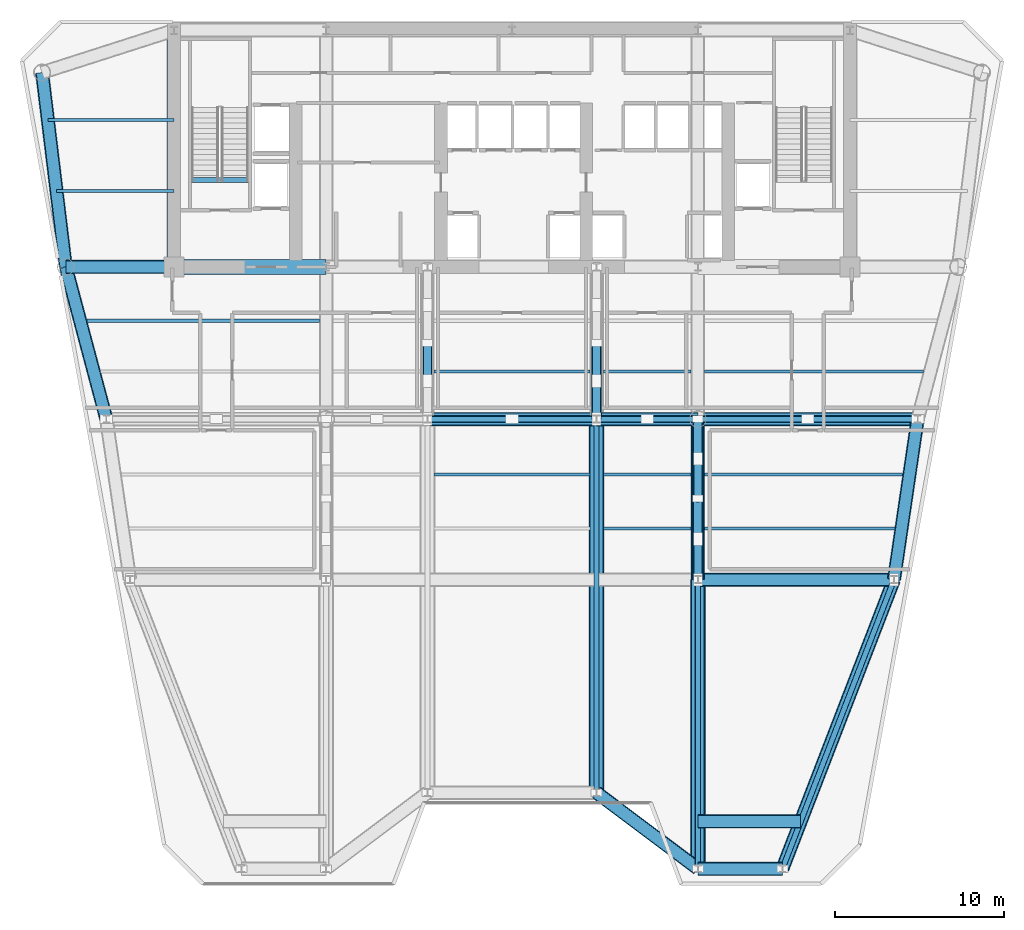
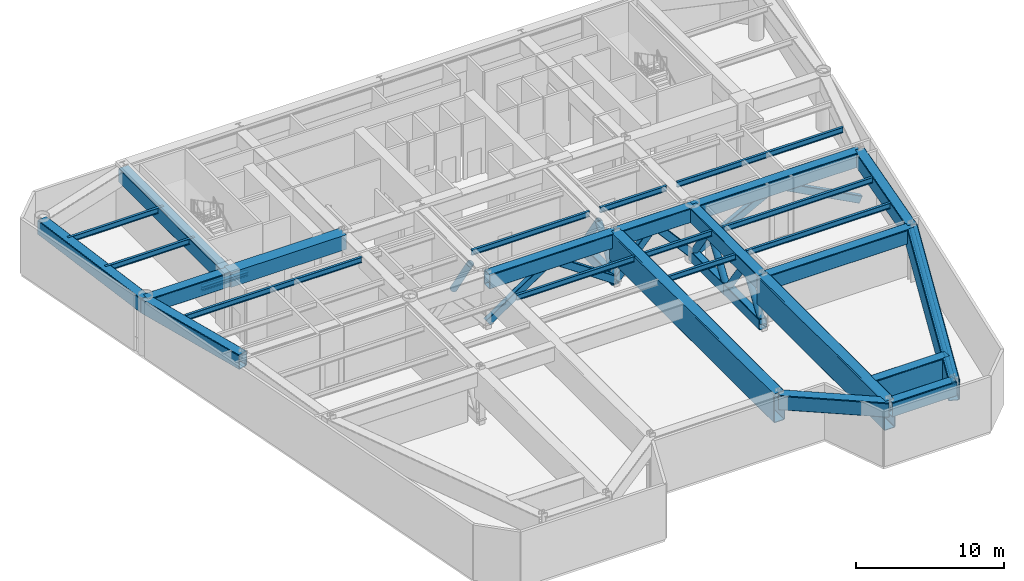
# One storey, part 2 of 10: 29 beams, 19 members.
"""IFC4 building model written with IfcOpenShell, lengths in metres."""

from ifc_helpers import new_model, si_unit, direction, frame, origin, origin_2d, place, context, subcontext, project, spatial, rectangle, hollow_rectangle, hollow_circle, i_section, extrude, source, transform, mapped, material, material_profile, profile_set, type_object, element, save


model = new_model("IFC4")

# Units and contexts
model_context = context("Model", 3, precision=1e-05, world=origin(), true_north=direction((0.0, 1.0)))
body_context = subcontext(model_context, "Body", "Model", "MODEL_VIEW")
ifc_project = project(units=[si_unit("LENGTHUNIT", "METRE"), si_unit("AREAUNIT", "SQUARE_METRE"), si_unit("VOLUMEUNIT", "CUBIC_METRE"), si_unit("PLANEANGLEUNIT", "RADIAN"), si_unit("MASSUNIT", "GRAM", prefix="KILO")], contexts=[model_context])

# Site, building, storey
site_placement = place(None, origin())
site = spatial("IfcSite", under=ifc_project, at=site_placement, CompositionType="ELEMENT")
building_placement = place(site_placement, origin())
building = spatial("IfcBuilding", under=site, at=building_placement, Name="Vaeldorn Concourse Tower", CompositionType="ELEMENT")
storey_placement = place(building_placement, frame((0.0, 0.0, 149.0)))
storey = spatial("IfcBuildingStorey", under=building, at=storey_placement, Name="L38", CompositionType="ELEMENT", Elevation=149.0)

# Beams
ifc_material_1 = material(Name="Concrete C60/75", Category="concrete")
ifc_material_profile_1 = material_profile(ifc_material_1, rectangle(XDim=0.89990234375, YDim=1.199951171875, at=origin_2d()), Name="RC 900x1200")
ifc_profile_set_1 = profile_set([ifc_material_profile_1], Name="Concrete C60/75")
beam_type_1 = type_object("IfcBeamType", Name="BM-CB-RC900", PredefinedType="BEAM", material=ifc_profile_set_1)
shared_shape_1 = source(origin(), body_context, "Body", "SweptSolid", [
    extrude(rectangle(XDim=0.89990234375, YDim=1.199951171875, at=origin_2d()), origin(), (0.0, 0.0, 1.0), 9.0),
])
beam_1_placement = place(storey_placement, frame((14.0, 36.5, 3.93994140625), z_axis=(1.0, 0.0, 0.0), x_axis=(0.0, 1.0, 0.0)))
element("IfcBeam", 1, at=beam_1_placement, inside=storey, type_object=beam_type_1, Name="Core Coupling Beam L38-1", PredefinedType="BEAM", context=body_context, shape_type="MappedRepresentation", body=[
    mapped(shared_shape_1, transform((0.0, 0.0, 0.0), scale=1.0)),
])
ifc_material_2 = material(Name="Steel S355", Category="steel")
ifc_material_profile_2 = material_profile(ifc_material_2, i_section(OverallWidth=0.300048828125, OverallDepth=0.340087890625, WebThickness=0.011962890625, FlangeThickness=0.021484375, FilletRadius=0.027099609375, at=origin_2d()), Name="HEB 340")
ifc_profile_set_2 = profile_set([ifc_material_profile_2], Name="Steel S355")
beam_type_2 = type_object("IfcBeamType", Name="BM-ST-TRIM", PredefinedType="BEAM", material=ifc_profile_set_2)
shared_shape_2 = source(origin(), body_context, "Body", "SweptSolid", [
    extrude(i_section(OverallWidth=0.300048828125, OverallDepth=0.340087890625, WebThickness=0.011962890625, FlangeThickness=0.021484375, FilletRadius=0.027099609375, at=origin_2d()), origin(), (0.0, 0.0, 1.0), 3.590087890625),
])
beam_2_placement = place(storey_placement, frame((14.929931640625, 41.639892578125, -0.429931640625), z_axis=(1.0, 0.0, 0.0), x_axis=(0.0, 1.0, 0.0)))
element("IfcBeam", 2, at=beam_2_placement, inside=storey, type_object=beam_type_2, Name="Stair Landing Trimmer Beam ST-1 L38", PredefinedType="BEAM", context=body_context, shape_type="MappedRepresentation", body=[
    mapped(shared_shape_2, transform((0.0, 0.0, 0.0), scale=1.0)),
])
ifc_material_3 = material(Name="Steel S460", Category="steel")
ifc_material_profile_3 = material_profile(ifc_material_3, hollow_rectangle(XDim=0.800048828125, YDim=1.199951171875, WallThickness=0.044921875, InnerFilletRadius=0.044921875, OuterFilletRadius=0.090087890625, at=origin_2d()), Name="RHS 1200x800x45")
ifc_profile_set_3 = profile_set([ifc_material_profile_3], Name="Steel S460")
beam_type_3 = type_object("IfcBeamType", Name="BM-TG-RHS1200", PredefinedType="BEAM", material=ifc_profile_set_3)
shared_shape_3 = source(origin(), body_context, "Body", "SweptSolid", [
    extrude(hollow_rectangle(XDim=0.800048828125, YDim=1.199951171875, WallThickness=0.044921875, InnerFilletRadius=0.044921875, OuterFilletRadius=0.090087890625, at=origin_2d()), origin(), (0.0, 0.0, 1.0), 6.0),
])
beam_3_placement = place(storey_placement, frame((39.0, 27.5, 3.93994140625), z_axis=(1.0, 0.0, 0.0), x_axis=(0.0, 1.0, 0.0)))
element("IfcBeam", 3, at=beam_3_placement, inside=storey, type_object=beam_type_3, Name="Beam BM-L38-C-TW3-C-TW4", PredefinedType="BEAM", context=body_context, shape_type="MappedRepresentation", body=[
    mapped(shared_shape_3, transform((0.0, 0.0, 0.0), scale=1.0)),
])
shared_shape_4 = source(origin(), body_context, "Body", "SweptSolid", [
    extrude(hollow_rectangle(XDim=0.800048828125, YDim=1.199951171875, WallThickness=0.044921875, InnerFilletRadius=0.044921875, OuterFilletRadius=0.090087890625, at=origin_2d()), origin(), (0.0, 0.0, 1.0), 10.0),
])
beam_4_placement = place(storey_placement, frame((29.0, 27.5, 3.93994140625), z_axis=(1.0, 0.0, 0.0), x_axis=(0.0, 1.0, 0.0)))
element("IfcBeam", 4, at=beam_4_placement, inside=storey, type_object=beam_type_3, Name="Beam BM-L38-C-TW2-C-TW3", PredefinedType="BEAM", context=body_context, shape_type="MappedRepresentation", body=[
    mapped(shared_shape_4, transform((0.0, 0.0, 0.0), scale=1.0)),
])
shared_shape_5 = source(origin(), body_context, "Body", "SweptSolid", [
    extrude(hollow_rectangle(XDim=0.800048828125, YDim=1.199951171875, WallThickness=0.044921875, InnerFilletRadius=0.044921875, OuterFilletRadius=0.090087890625, at=origin_2d()), origin(), (0.0, 0.0, 1.0), 14.0),
])
beam_5_placement = place(storey_placement, frame((14.0, 36.5, 3.93994140625), z_axis=(0.0, 1.0, 0.0), x_axis=(-1.0, 0.0, 0.0)))
element("IfcBeam", 5, at=beam_5_placement, inside=storey, type_object=beam_type_3, Name="Beam BM-L38-C-FC1-C-HC1", PredefinedType="BEAM", context=body_context, shape_type="MappedRepresentation", body=[
    mapped(shared_shape_5, transform((0.0, 0.0, 0.0), scale=1.0)),
])
ifc_material_profile_4 = material_profile(ifc_material_3, hollow_rectangle(XDim=0.89990234375, YDim=2.39990234375, WallThickness=0.06005859375, InnerFilletRadius=0.06005859375, OuterFilletRadius=0.1201171875, at=origin_2d()), Name="RHS 2400x900x60")
ifc_profile_set_4 = profile_set([ifc_material_profile_4], Name="Steel S460")
beam_type_4 = type_object("IfcBeamType", Name="BM-TG-BOX2400", PredefinedType="BEAM", material=ifc_profile_set_4)
shared_shape_6 = source(origin(), body_context, "Body", "SweptSolid", [
    extrude(hollow_rectangle(XDim=0.89990234375, YDim=2.39990234375, WallThickness=0.06005859375, InnerFilletRadius=0.06005859375, OuterFilletRadius=0.1201171875, at=origin_2d()), origin(), (0.0, 0.0, 1.0), 22.10009765625),
])
beam_6_placement = place(storey_placement, frame((39.0, 5.39990234375, 3.340087890625), z_axis=(0.0, 1.0, 0.0), x_axis=(-1.0, 0.0, 0.0)))
element("IfcBeam", 6, at=beam_6_placement, inside=storey, type_object=beam_type_4, Name="Beam BM-SETBACK-L38-C-SF4", PredefinedType="BEAM", context=body_context, shape_type="MappedRepresentation", body=[
    mapped(shared_shape_6, transform((0.0, 0.0, 0.0), scale=1.0)),
])
shared_shape_7 = source(origin(), body_context, "Body", "SweptSolid", [
    extrude(hollow_rectangle(XDim=0.800048828125, YDim=1.199951171875, WallThickness=0.044921875, InnerFilletRadius=0.044921875, OuterFilletRadius=0.090087890625, at=origin_2d()), origin(), (0.0, 0.0, 1.0), 13.0),
])
beam_7_placement = place(storey_placement, frame((45.0, 27.5, 3.93994140625), z_axis=(1.0, 0.0, 0.0), x_axis=(0.0, 1.0, 0.0)))
element("IfcBeam", 7, at=beam_7_placement, inside=storey, type_object=beam_type_3, Name="Beam BM-L38-C-TW4-C-FLE1", PredefinedType="BEAM", context=body_context, shape_type="MappedRepresentation", body=[
    mapped(shared_shape_7, transform((0.0, 0.0, 0.0), scale=1.0)),
])
shared_shape_8 = source(origin(), body_context, "Body", "SweptSolid", [
    extrude(hollow_rectangle(XDim=0.800048828125, YDim=1.199951171875, WallThickness=0.044921875, InnerFilletRadius=0.044921875, OuterFilletRadius=0.090087890625, at=origin_2d()), origin(), (0.0, 0.0, 1.0), 11.60009765625),
])
beam_8_placement = place(storey_placement, frame((45.0, 18.0, 3.93994140625), z_axis=(1.0, 0.0, 0.0), x_axis=(0.0, 1.0, 0.0)))
element("IfcBeam", 8, at=beam_8_placement, inside=storey, type_object=beam_type_3, Name="Beam BM-L38-C-TW6-C-FLE2", PredefinedType="BEAM", context=body_context, shape_type="MappedRepresentation", body=[
    mapped(shared_shape_8, transform((0.0, 0.0, 0.0), scale=1.0)),
])
shared_shape_9 = source(origin(), body_context, "Body", "SweptSolid", [
    extrude(hollow_rectangle(XDim=0.800048828125, YDim=1.199951171875, WallThickness=0.044921875, InnerFilletRadius=0.044921875, OuterFilletRadius=0.090087890625, at=origin_2d()), origin(), (0.0, 0.0, 1.0), 5.0),
])
beam_9_placement = place(storey_placement, frame((45.0, 0.89990234375, 3.93994140625), z_axis=(1.0, 0.0, 0.0), x_axis=(0.0, 1.0, 0.0)))
element("IfcBeam", 9, at=beam_9_placement, inside=storey, type_object=beam_type_3, Name="Beam BM-L38-C-SF5-C-SF6", PredefinedType="BEAM", context=body_context, shape_type="MappedRepresentation", body=[
    mapped(shared_shape_9, transform((0.0, 0.0, 0.0), scale=1.0)),
])
shared_shape_10 = source(origin(), body_context, "Body", "SweptSolid", [
    extrude(hollow_rectangle(XDim=0.800048828125, YDim=1.199951171875, WallThickness=0.044921875, InnerFilletRadius=0.044921875, OuterFilletRadius=0.090087890625, at=origin_2d()), origin(), (0.0, 0.0, 1.0), 7.5),
])
beam_10_placement = place(storey_placement, frame((39.0, 5.39990234375, 3.93994140625), z_axis=(0.8, -0.6, 0.0), x_axis=(0.6, 0.8, 0.0)))
element("IfcBeam", 10, at=beam_10_placement, inside=storey, type_object=beam_type_3, Name="Beam BM-L38-C-SF4-C-SF5", PredefinedType="BEAM", context=body_context, shape_type="MappedRepresentation", body=[
    mapped(shared_shape_10, transform((0.0, 0.0, 0.0), scale=1.0)),
])
shared_shape_11 = source(origin(), body_context, "Body", "SweptSolid", [
    extrude(hollow_rectangle(XDim=0.800048828125, YDim=1.199951171875, WallThickness=0.044921875, InnerFilletRadius=0.044921875, OuterFilletRadius=0.090087890625, at=origin_2d()), origin(), (0.0, 0.0, 1.0), 6.39990234375),
])
beam_11_placement = place(storey_placement, frame((7.60009765625, 36.5, 3.93994140625), z_axis=(1.0, 0.0, 0.0), x_axis=(0.0, 1.0, 0.0)))
element("IfcBeam", 11, at=beam_11_placement, inside=storey, type_object=beam_type_3, Name="Beam BM-L38-C-NW2-C-FC1", PredefinedType="BEAM", context=body_context, shape_type="MappedRepresentation", body=[
    mapped(shared_shape_11, transform((0.0, 0.0, 0.0), scale=1.0)),
])
shared_shape_12 = source(origin(), body_context, "Body", "SweptSolid", [
    extrude(hollow_rectangle(XDim=0.800048828125, YDim=1.199951171875, WallThickness=0.044921875, InnerFilletRadius=0.044921875, OuterFilletRadius=0.090087890625, at=origin_2d()), origin(), (0.0, 0.0, 1.0), 11.5849609375),
])
beam_12_placement = place(storey_placement, frame((6.199951171875, 48.0, 3.93994140625), z_axis=(0.120859382899, -0.992669637677, 0.0), x_axis=(0.992669637677, 0.120859382899, 0.0)))
element("IfcBeam", 12, at=beam_12_placement, inside=storey, type_object=beam_type_3, Name="Beam BM-L38-C-NW1-C-NW2", PredefinedType="BEAM", context=body_context, shape_type="MappedRepresentation", body=[
    mapped(shared_shape_12, transform((0.0, 0.0, 0.0), scale=1.0)),
])
shared_shape_13 = source(origin(), body_context, "Body", "SweptSolid", [
    extrude(hollow_rectangle(XDim=0.800048828125, YDim=1.199951171875, WallThickness=0.044921875, InnerFilletRadius=0.044921875, OuterFilletRadius=0.090087890625, at=origin_2d()), origin(), (0.0, 0.0, 1.0), 9.314453125),
])
beam_13_placement = place(storey_placement, frame((7.60009765625, 36.5, 3.93994140625), z_axis=(0.257652862255, -0.966237549763, 0.0), x_axis=(0.966237549763, 0.257652862255, 0.0)))
element("IfcBeam", 13, at=beam_13_placement, inside=storey, type_object=beam_type_3, Name="Beam BM-L38-C-NW2-C-FLW1", PredefinedType="BEAM", context=body_context, shape_type="MappedRepresentation", body=[
    mapped(shared_shape_13, transform((0.0, 0.0, 0.0), scale=1.0)),
])
shared_shape_14 = source(origin(), body_context, "Body", "SweptSolid", [
    extrude(hollow_rectangle(XDim=0.800048828125, YDim=1.199951171875, WallThickness=0.044921875, InnerFilletRadius=0.044921875, OuterFilletRadius=0.090087890625, at=origin_2d()), origin(), (0.0, 0.0, 1.0), 9.6025390625),
])
beam_14_placement = place(storey_placement, frame((58.0, 27.5, 3.93994140625), z_axis=(-0.145783835977, -0.989316467652, 0.0), x_axis=(0.989316467652, -0.145783835977, 0.0)))
element("IfcBeam", 14, at=beam_14_placement, inside=storey, type_object=beam_type_3, Name="Beam BM-L38-C-FLE1-C-FLE2", PredefinedType="BEAM", context=body_context, shape_type="MappedRepresentation", body=[
    mapped(shared_shape_14, transform((0.0, 0.0, 0.0), scale=1.0)),
])
ifc_material_profile_5 = material_profile(ifc_material_2, i_section(OverallWidth=0.18994140625, OverallDepth=0.449951171875, WebThickness=0.009521484375, FlangeThickness=0.0146484375, FilletRadius=0.02099609375, at=origin_2d()), Name="IPE 450")
ifc_profile_set_5 = profile_set([ifc_material_profile_5], Name="Steel S355")
beam_type_5 = type_object("IfcBeamType", Name="BM-JS-IPE450", PredefinedType="JOIST", material=ifc_profile_set_5)
shared_shape_15 = source(origin(), body_context, "Body", "SweptSolid", [
    extrude(i_section(OverallWidth=0.18994140625, OverallDepth=0.449951171875, WebThickness=0.009521484375, FlangeThickness=0.0146484375, FilletRadius=0.02099609375, at=origin_2d()), origin(), (0.0, 0.0, 1.0), 6.94775390625),
])
beam_15_placement = place(storey_placement, frame((7.05224609375, 41.0, 4.31494140625), z_axis=(1.0, 0.0, 0.0), x_axis=(0.0, 1.0, 0.0)))
element("IfcBeam", 15, at=beam_15_placement, inside=storey, type_object=beam_type_5, Name="Beam JS-L38-NW-410", PredefinedType="JOIST", context=body_context, shape_type="MappedRepresentation", body=[
    mapped(shared_shape_15, transform((0.0, 0.0, 0.0), scale=1.0)),
])
shared_shape_16 = source(origin(), body_context, "Body", "SweptSolid", [
    extrude(i_section(OverallWidth=0.18994140625, OverallDepth=0.449951171875, WebThickness=0.009521484375, FlangeThickness=0.0146484375, FilletRadius=0.02099609375, at=origin_2d()), origin(), (0.0, 0.0, 1.0), 7.458984375),
])
beam_16_placement = place(storey_placement, frame((6.541015625, 45.199951171875, 4.31494140625), z_axis=(1.0, 0.0, 0.0), x_axis=(0.0, 1.0, 0.0)))
element("IfcBeam", 16, at=beam_16_placement, inside=storey, type_object=beam_type_5, Name="Beam JS-L38-NW-452", PredefinedType="JOIST", context=body_context, shape_type="MappedRepresentation", body=[
    mapped(shared_shape_16, transform((0.0, 0.0, 0.0), scale=1.0)),
])
shared_shape_17 = source(origin(), body_context, "Body", "SweptSolid", [
    extrude(hollow_rectangle(XDim=0.89990234375, YDim=2.39990234375, WallThickness=0.06005859375, InnerFilletRadius=0.06005859375, OuterFilletRadius=0.1201171875, at=origin_2d()), origin(), (0.0, 0.0, 1.0), 17.10009765625),
])
beam_17_placement = place(storey_placement, frame((45.0, 0.89990234375, 3.340087890625), z_axis=(0.0, 1.0, 0.0), x_axis=(-1.0, 0.0, 0.0)))
element("IfcBeam", 17, at=beam_17_placement, inside=storey, type_object=beam_type_4, Name="Beam BM-SETBACK-L38-C-SF5", PredefinedType="BEAM", context=body_context, shape_type="MappedRepresentation", body=[
    mapped(shared_shape_17, transform((0.0, 0.0, 0.0), scale=1.0)),
])
ifc_material_profile_6 = material_profile(ifc_material_3, hollow_rectangle(XDim=0.800048828125, YDim=1.800048828125, WallThickness=0.050048828125, InnerFilletRadius=0.050048828125, OuterFilletRadius=0.10009765625, at=origin_2d()), Name="RHS 1800x800x50")
ifc_profile_set_6 = profile_set([ifc_material_profile_6], Name="Steel S460")
beam_type_6 = type_object("IfcBeamType", Name="BM-TG-BOX1800", PredefinedType="BEAM", material=ifc_profile_set_6)
shared_shape_18 = source(origin(), body_context, "Body", "SweptSolid", [
    extrude(hollow_rectangle(XDim=0.800048828125, YDim=1.800048828125, WallThickness=0.050048828125, InnerFilletRadius=0.050048828125, OuterFilletRadius=0.10009765625, at=origin_2d()), origin(), (0.0, 0.0, 1.0), 18.32958984375),
])
beam_18_placement = place(storey_placement, frame((50.0, 0.89990234375, 3.639892578125), z_axis=(0.36007844134, 0.932922031084, 0.0), x_axis=(-0.932922031084, 0.36007844134, 0.0)))
element("IfcBeam", 18, at=beam_18_placement, inside=storey, type_object=beam_type_6, Name="Beam BM-SETBACK-FL-L38-C-SF6", PredefinedType="BEAM", context=body_context, shape_type="MappedRepresentation", body=[
    mapped(shared_shape_18, transform((0.0, 0.0, 0.0), scale=1.0)),
])
shared_shape_19 = source(origin(), body_context, "Body", "SweptSolid", [
    extrude(hollow_rectangle(XDim=0.800048828125, YDim=1.800048828125, WallThickness=0.050048828125, InnerFilletRadius=0.050048828125, OuterFilletRadius=0.10009765625, at=origin_2d()), origin(), (0.0, 0.0, 1.0), 6.080810546875),
])
beam_19_placement = place(storey_placement, frame((51.080810546875, 3.699951171875, 3.639892578125), z_axis=(-1.0, 0.0, 0.0), x_axis=(0.0, -1.0, 0.0)))
element("IfcBeam", 19, at=beam_19_placement, inside=storey, type_object=beam_type_6, Name="Beam BM-SETBACK-EW-L38-C-SF6", PredefinedType="BEAM", context=body_context, shape_type="MappedRepresentation", body=[
    mapped(shared_shape_19, transform((0.0, 0.0, 0.0), scale=1.0)),
])
shared_shape_20 = source(origin(), body_context, "Body", "SweptSolid", [
    extrude(hollow_rectangle(XDim=0.800048828125, YDim=1.199951171875, WallThickness=0.044921875, InnerFilletRadius=0.044921875, OuterFilletRadius=0.090087890625, at=origin_2d()), origin(), (0.0, 0.0, 1.0), 9.5),
])
beam_20_placement = place(storey_placement, frame((45.0, 18.0, 3.93994140625), z_axis=(0.0, 1.0, 0.0), x_axis=(-1.0, 0.0, 0.0)))
element("IfcBeam", 20, at=beam_20_placement, inside=storey, type_object=beam_type_3, Name="Beam BM-L38-C-TW6-C-TW4", PredefinedType="BEAM", context=body_context, shape_type="MappedRepresentation", body=[
    mapped(shared_shape_20, transform((0.0, 0.0, 0.0), scale=1.0)),
])
shared_shape_21 = source(origin(), body_context, "Body", "SweptSolid", [
    extrude(i_section(OverallWidth=0.18994140625, OverallDepth=0.449951171875, WebThickness=0.009521484375, FlangeThickness=0.0146484375, FilletRadius=0.02099609375, at=origin_2d()), origin(), (0.0, 0.0, 1.0), 11.2451171875),
])
beam_21_placement = place(storey_placement, frame((45.39990234375, 21.02001953125, 4.31494140625), z_axis=(1.0, 0.0, 0.0), x_axis=(0.0, 1.0, 0.0)))
element("IfcBeam", 21, at=beam_21_placement, inside=storey, type_object=beam_type_5, Name="Beam JS-L38-E1-210", PredefinedType="JOIST", context=body_context, shape_type="MappedRepresentation", body=[
    mapped(shared_shape_21, transform((0.0, 0.0, 0.0), scale=1.0)),
])
shared_shape_22 = source(origin(), body_context, "Body", "SweptSolid", [
    extrude(i_section(OverallWidth=0.18994140625, OverallDepth=0.449951171875, WebThickness=0.009521484375, FlangeThickness=0.0146484375, FilletRadius=0.02099609375, at=origin_2d()), origin(), (0.0, 0.0, 1.0), 5.2001953125),
])
for number, where, z_axis, x_axis, name in (
    (22, (39.39990234375, 21.02001953125, 4.31494140625), (1.0, 0.0, 0.0), (0.0, 1.0, 0.0), "Beam JS-L38-E2-210"),
    (23, (39.39990234375, 24.219970703125, 4.31494140625), (1.0, 0.0, 0.0), (0.0, 1.0, 0.0), "Beam JS-L38-E2-242"),
    (24, (39.39990234375, 30.320068359375, 4.31494140625), (1.0, 0.0, 0.0), (0.0, 1.0, 0.0), "Beam JS-L38-E2-303"),
):
    element("IfcBeam", number, at=place(storey_placement, frame(where, z_axis=z_axis, x_axis=x_axis)), inside=storey, type_object=beam_type_5, Name=name, PredefinedType="JOIST", context=body_context, shape_type="MappedRepresentation", body=[
        mapped(shared_shape_22, transform((0.0, 0.0, 0.0), scale=1.0)),
    ])
shared_shape_23 = source(origin(), body_context, "Body", "SweptSolid", [
    extrude(i_section(OverallWidth=0.18994140625, OverallDepth=0.449951171875, WebThickness=0.009521484375, FlangeThickness=0.0146484375, FilletRadius=0.02099609375, at=origin_2d()), origin(), (0.0, 0.0, 1.0), 9.2001953125),
])
for number, where, z_axis, x_axis, name in (
    (25, (29.39990234375, 24.219970703125, 4.31494140625), (1.0, 0.0, 0.0), (0.0, 1.0, 0.0), "Beam JS-L38-C-242"),
    (26, (29.39990234375, 30.320068359375, 4.31494140625), (1.0, 0.0, 0.0), (0.0, 1.0, 0.0), "Beam JS-L38-C-303"),
):
    element("IfcBeam", number, at=place(storey_placement, frame(where, z_axis=z_axis, x_axis=x_axis)), inside=storey, type_object=beam_type_5, Name=name, PredefinedType="JOIST", context=body_context, shape_type="MappedRepresentation", body=[
        mapped(shared_shape_23, transform((0.0, 0.0, 0.0), scale=1.0)),
    ])
shared_shape_24 = source(origin(), body_context, "Body", "SweptSolid", [
    extrude(i_section(OverallWidth=0.18994140625, OverallDepth=0.449951171875, WebThickness=0.009521484375, FlangeThickness=0.0146484375, FilletRadius=0.02099609375, at=origin_2d()), origin(), (0.0, 0.0, 1.0), 11.716796875),
])
beam_22_placement = place(storey_placement, frame((45.39990234375, 24.219970703125, 4.31494140625), z_axis=(1.0, 0.0, 0.0), x_axis=(0.0, 1.0, 0.0)))
element("IfcBeam", 27, at=beam_22_placement, inside=storey, type_object=beam_type_5, Name="Beam JS-L38-E1-242", PredefinedType="JOIST", context=body_context, shape_type="MappedRepresentation", body=[
    mapped(shared_shape_24, transform((0.0, 0.0, 0.0), scale=1.0)),
])
shared_shape_25 = source(origin(), body_context, "Body", "SweptSolid", [
    extrude(i_section(OverallWidth=0.18994140625, OverallDepth=0.449951171875, WebThickness=0.009521484375, FlangeThickness=0.0146484375, FilletRadius=0.02099609375, at=origin_2d()), origin(), (0.0, 0.0, 1.0), 12.9521484375),
])
beam_23_placement = place(storey_placement, frame((45.39990234375, 30.320068359375, 4.31494140625), z_axis=(1.0, 0.0, 0.0), x_axis=(0.0, 1.0, 0.0)))
element("IfcBeam", 28, at=beam_23_placement, inside=storey, type_object=beam_type_5, Name="Beam JS-L38-E1-303", PredefinedType="JOIST", context=body_context, shape_type="MappedRepresentation", body=[
    mapped(shared_shape_25, transform((0.0, 0.0, 0.0), scale=1.0)),
])
shared_shape_26 = source(origin(), body_context, "Body", "SweptSolid", [
    extrude(i_section(OverallWidth=0.18994140625, OverallDepth=0.449951171875, WebThickness=0.009521484375, FlangeThickness=0.0146484375, FilletRadius=0.02099609375, at=origin_2d()), origin(), (0.0, 0.0, 1.0), 13.752197265625),
])
beam_24_placement = place(storey_placement, frame((8.847900390625, 33.320068359375, 4.31494140625), z_axis=(1.0, 0.0, 0.0), x_axis=(0.0, 1.0, 0.0)))
element("IfcBeam", 29, at=beam_24_placement, inside=storey, type_object=beam_type_5, Name="Beam JS-L38-W1-333", PredefinedType="JOIST", context=body_context, shape_type="MappedRepresentation", body=[
    mapped(shared_shape_26, transform((0.0, 0.0, 0.0), scale=1.0)),
])

# Members
ifc_material_profile_7 = material_profile(ifc_material_3, hollow_rectangle(XDim=0.60009765625, YDim=0.89990234375, WallThickness=0.0400390625, InnerFilletRadius=0.0400390625, OuterFilletRadius=0.080078125, at=origin_2d()), Name="RHS 900x600x40")
ifc_profile_set_7 = profile_set([ifc_material_profile_7], Name="Steel S460")
member_type_1 = type_object("IfcMemberType", Name="MB-OT-CHORD1", PredefinedType="CHORD", material=ifc_profile_set_7)
shared_shape_27 = source(origin(), body_context, "Body", "SweptSolid", [
    extrude(hollow_rectangle(XDim=0.60009765625, YDim=0.89990234375, WallThickness=0.0400390625, InnerFilletRadius=0.0400390625, OuterFilletRadius=0.080078125, at=origin_2d()), origin(), (0.0, 0.0, 1.0), 4.699951171875),
])
member_1_placement = place(storey_placement, frame((45.0, 27.5, 0.449951171875), z_axis=(0.0, -1.0, 0.0), x_axis=(1.0, 0.0, 0.0)))
element("IfcMember", 30, at=member_1_placement, inside=storey, type_object=member_type_1, Name="Outrigger Bottom Chord L38 OT4.1", PredefinedType="CHORD", context=body_context, shape_type="MappedRepresentation", body=[
    mapped(shared_shape_27, transform((0.0, 0.0, 0.0), scale=1.0)),
])
ifc_material_profile_8 = material_profile(ifc_material_3, hollow_circle(Radius=0.25390625, WallThickness=0.02490234375, at=origin_2d()), Name="CHS 508x25")
ifc_profile_set_8 = profile_set([ifc_material_profile_8], Name="Steel S460")
member_type_2 = type_object("IfcMemberType", Name="MB-OT-DIAG1", PredefinedType="BRACE", material=ifc_profile_set_8)
shared_shape_28 = source(origin(), body_context, "Body", "SweptSolid", [
    extrude(hollow_circle(Radius=0.25390625, WallThickness=0.02490234375, at=origin_2d()), origin(), (0.0, 0.0, 1.0), 4.166015625),
])
for number, where, z_axis, x_axis, name in (
    (31, (45.0, 27.5, 0.449951171875), (0.0, -0.564103947014, 0.82570378282), (1.0, 0.0, 0.0), "Outrigger Truss Diagonal L38 OT4.1A"),
    (32, (45.0, 22.800048828125, 0.449951171875), (0.0, 0.564063990889, 0.82573107861), (-1.0, 0.0, 0.0), "Outrigger Truss Diagonal L38 OT4.1B"),
):
    element("IfcMember", number, at=place(storey_placement, frame(where, z_axis=z_axis, x_axis=x_axis)), inside=storey, type_object=member_type_2, Name=name, PredefinedType="BRACE", context=body_context, shape_type="MappedRepresentation", body=[
        mapped(shared_shape_28, transform((0.0, 0.0, 0.0), scale=1.0)),
    ])
shared_shape_29 = source(origin(), body_context, "Body", "SweptSolid", [
    extrude(hollow_rectangle(XDim=0.60009765625, YDim=0.89990234375, WallThickness=0.0400390625, InnerFilletRadius=0.0400390625, OuterFilletRadius=0.080078125, at=origin_2d()), origin(), (0.0, 0.0, 1.0), 4.800048828125),
])
member_2_placement = place(storey_placement, frame((45.0, 22.800048828125, 0.449951171875), z_axis=(0.0, -1.0, 0.0), x_axis=(1.0, 0.0, 0.0)))
element("IfcMember", 33, at=member_2_placement, inside=storey, type_object=member_type_1, Name="Outrigger Bottom Chord L38 OT4.2", PredefinedType="CHORD", context=body_context, shape_type="MappedRepresentation", body=[
    mapped(shared_shape_29, transform((0.0, 0.0, 0.0), scale=1.0)),
])
shared_shape_30 = source(origin(), body_context, "Body", "SweptSolid", [
    extrude(hollow_circle(Radius=0.25390625, WallThickness=0.02490234375, at=origin_2d()), origin(), (0.0, 0.0, 1.0), 4.194580078125),
])
member_3_placement = place(storey_placement, frame((45.0, 22.800048828125, 0.449951171875), z_axis=(0.0, -0.572211640255, 0.820105992391), x_axis=(1.0, 0.0, 0.0)))
element("IfcMember", 34, at=member_3_placement, inside=storey, type_object=member_type_2, Name="Outrigger Truss Diagonal L38 OT4.2A", PredefinedType="BRACE", context=body_context, shape_type="MappedRepresentation", body=[
    mapped(shared_shape_30, transform((0.0, 0.0, 0.0), scale=1.0)),
])
shared_shape_31 = source(origin(), body_context, "Body", "SweptSolid", [
    extrude(hollow_circle(Radius=0.25390625, WallThickness=0.02490234375, at=origin_2d()), origin(), (0.0, 0.0, 1.0), 4.1943359375),
])
member_4_placement = place(storey_placement, frame((45.0, 18.0, 0.449951171875), z_axis=(0.0, 0.572172491257, 0.820133306389), x_axis=(-1.0, 0.0, 0.0)))
element("IfcMember", 35, at=member_4_placement, inside=storey, type_object=member_type_2, Name="Outrigger Truss Diagonal L38 OT4.2B", PredefinedType="BRACE", context=body_context, shape_type="MappedRepresentation", body=[
    mapped(shared_shape_31, transform((0.0, 0.0, 0.0), scale=1.0)),
])
shared_shape_32 = source(origin(), body_context, "Body", "SweptSolid", [
    extrude(hollow_rectangle(XDim=0.60009765625, YDim=0.89990234375, WallThickness=0.0400390625, InnerFilletRadius=0.0400390625, OuterFilletRadius=0.080078125, at=origin_2d()), origin(), (0.0, 0.0, 1.0), 4.5),
])
member_5_placement = place(storey_placement, frame((39.0, 32.0, 0.449951171875), z_axis=(0.0, -1.0, 0.0), x_axis=(1.0, 0.0, 0.0)))
element("IfcMember", 36, at=member_5_placement, inside=storey, type_object=member_type_1, Name="Outrigger Bottom Chord L38 OT3.2", PredefinedType="CHORD", context=body_context, shape_type="MappedRepresentation", body=[
    mapped(shared_shape_32, transform((0.0, 0.0, 0.0), scale=1.0)),
])
shared_shape_33 = source(origin(), body_context, "Body", "SweptSolid", [
    extrude(hollow_circle(Radius=0.25390625, WallThickness=0.02490234375, at=origin_2d()), origin(), (0.0, 0.0, 1.0), 4.1103515625),
])
for number, where, z_axis, x_axis, name in (
    (37, (29.0, 32.0, 0.449951171875), (0.0, -0.547386980315, 0.836879617258), (1.0, 0.0, 0.0), "Outrigger Truss Diagonal L38 OT2.2A"),
    (38, (39.0, 32.0, 0.449951171875), (0.0, -0.547386980315, 0.836879617258), (1.0, 0.0, 0.0), "Outrigger Truss Diagonal L38 OT3.2A"),
    (39, (39.0, 27.5, 0.449951171875), (0.0, 0.547386980315, 0.836879617258), (-1.0, 0.0, 0.0), "Outrigger Truss Diagonal L38 OT3.2B"),
):
    element("IfcMember", number, at=place(storey_placement, frame(where, z_axis=z_axis, x_axis=x_axis)), inside=storey, type_object=member_type_2, Name=name, PredefinedType="BRACE", context=body_context, shape_type="MappedRepresentation", body=[
        mapped(shared_shape_33, transform((0.0, 0.0, 0.0), scale=1.0)),
    ])
ifc_material_profile_9 = material_profile(ifc_material_3, hollow_rectangle(XDim=0.39990234375, YDim=0.60009765625, WallThickness=0.030029296875, InnerFilletRadius=0.030029296875, OuterFilletRadius=0.06005859375, at=origin_2d()), Name="RHS 600x400x30")
ifc_profile_set_9 = profile_set([ifc_material_profile_9], Name="Steel S460")
member_type_3 = type_object("IfcMemberType", Name="MB-BT-BRACE1", PredefinedType="BRACE", material=ifc_profile_set_9)
shared_shape_34 = source(origin(), body_context, "Body", "SweptSolid", [
    extrude(hollow_rectangle(XDim=0.39990234375, YDim=0.60009765625, WallThickness=0.030029296875, InnerFilletRadius=0.030029296875, OuterFilletRadius=0.06005859375, at=origin_2d()), origin(), (0.0, 0.0, 1.0), 7.354248046875),
])
for number, where, z_axis, x_axis, name in (
    (40, (45.0, 27.5, 0.449951171875), (0.883857352752, 0.0, 0.467756539223), (0.0, 1.0, 0.0), "Belt Truss Chevron Brace L38-5A"),
    (41, (58.0, 27.5, 0.449951171875), (-0.883857352752, 0.0, 0.467756539223), (0.0, -1.0, 0.0), "Belt Truss Chevron Brace L38-5B"),
):
    element("IfcMember", number, at=place(storey_placement, frame(where, z_axis=z_axis, x_axis=x_axis)), inside=storey, type_object=member_type_3, Name=name, PredefinedType="BRACE", context=body_context, shape_type="MappedRepresentation", body=[
        mapped(shared_shape_34, transform((0.0, 0.0, 0.0), scale=1.0)),
    ])
shared_shape_35 = source(origin(), body_context, "Body", "SweptSolid", [
    extrude(hollow_rectangle(XDim=0.39990234375, YDim=0.60009765625, WallThickness=0.030029296875, InnerFilletRadius=0.030029296875, OuterFilletRadius=0.06005859375, at=origin_2d()), origin(), (0.0, 0.0, 1.0), 4.564453125),
])
for number, where, z_axis, x_axis, name in (
    (42, (39.0, 27.5, 0.449951171875), (0.657269221512, 0.0, 0.753655870045), (0.0, 1.0, 0.0), "Belt Truss Chevron Brace L38-4A"),
    (43, (45.0, 27.5, 0.449951171875), (-0.657269221512, 0.0, 0.753655870045), (0.0, -1.0, 0.0), "Belt Truss Chevron Brace L38-4B"),
):
    element("IfcMember", number, at=place(storey_placement, frame(where, z_axis=z_axis, x_axis=x_axis)), inside=storey, type_object=member_type_3, Name=name, PredefinedType="BRACE", context=body_context, shape_type="MappedRepresentation", body=[
        mapped(shared_shape_35, transform((0.0, 0.0, 0.0), scale=1.0)),
    ])
shared_shape_36 = source(origin(), body_context, "Body", "SweptSolid", [
    extrude(hollow_rectangle(XDim=0.39990234375, YDim=0.60009765625, WallThickness=0.030029296875, InnerFilletRadius=0.030029296875, OuterFilletRadius=0.06005859375, at=origin_2d()), origin(), (0.0, 0.0, 1.0), 6.069091796875),
])
for number, where, z_axis, x_axis, name in (
    (44, (29.0, 27.5, 0.449951171875), (0.823854080622, 0.0, 0.566801952928), (0.0, 1.0, 0.0), "Belt Truss Chevron Brace L38-3A"),
    (45, (39.0, 27.5, 0.449951171875), (-0.823854080622, 0.0, 0.566801952928), (0.0, -1.0, 0.0), "Belt Truss Chevron Brace L38-3B"),
):
    element("IfcMember", number, at=place(storey_placement, frame(where, z_axis=z_axis, x_axis=x_axis)), inside=storey, type_object=member_type_3, Name=name, PredefinedType="BRACE", context=body_context, shape_type="MappedRepresentation", body=[
        mapped(shared_shape_36, transform((0.0, 0.0, 0.0), scale=1.0)),
    ])
ifc_material_profile_10 = material_profile(ifc_material_3, hollow_circle(Radius=0.161865234375, WallThickness=0.01611328125, at=origin_2d()), Name="CHS 323.9x16")
ifc_profile_set_10 = profile_set([ifc_material_profile_10], Name="Steel S460")
member_type_4 = type_object("IfcMemberType", Name="MB-KINK-STRUT", PredefinedType="STRUT", material=ifc_profile_set_10)
shared_shape_37 = source(origin(), body_context, "Body", "SweptSolid", [
    extrude(hollow_circle(Radius=0.161865234375, WallThickness=0.01611328125, at=origin_2d()), origin(), (0.0, 0.0, 1.0), 18.32958984375),
])
member_6_placement = place(storey_placement, frame((50.0, 0.89990234375, 4.18994140625), z_axis=(0.36007844134, 0.932922031084, 0.0), x_axis=(-0.932922031084, 0.36007844134, 0.0)))
element("IfcMember", 46, at=member_6_placement, inside=storey, type_object=member_type_4, Name="Accordion Pleat Kink Tie Strut L38-6", PredefinedType="STRUT", context=body_context, shape_type="MappedRepresentation", body=[
    mapped(shared_shape_37, transform((0.0, 0.0, 0.0), scale=1.0)),
])
shared_shape_38 = source(origin(), body_context, "Body", "SweptSolid", [
    extrude(hollow_circle(Radius=0.161865234375, WallThickness=0.01611328125, at=origin_2d()), origin(), (0.0, 0.0, 1.0), 17.10009765625),
])
member_7_placement = place(storey_placement, frame((45.0, 0.89990234375, 4.18994140625), z_axis=(0.0, 1.0, 0.0), x_axis=(-1.0, 0.0, 0.0)))
element("IfcMember", 47, at=member_7_placement, inside=storey, type_object=member_type_4, Name="Accordion Pleat Kink Tie Strut L38-5", PredefinedType="STRUT", context=body_context, shape_type="MappedRepresentation", body=[
    mapped(shared_shape_38, transform((0.0, 0.0, 0.0), scale=1.0)),
])
shared_shape_39 = source(origin(), body_context, "Body", "SweptSolid", [
    extrude(hollow_circle(Radius=0.161865234375, WallThickness=0.01611328125, at=origin_2d()), origin(), (0.0, 0.0, 1.0), 22.10009765625),
])
member_8_placement = place(storey_placement, frame((39.0, 5.39990234375, 4.18994140625), z_axis=(0.0, 1.0, 0.0), x_axis=(-1.0, 0.0, 0.0)))
element("IfcMember", 48, at=member_8_placement, inside=storey, type_object=member_type_4, Name="Accordion Pleat Kink Tie Strut L38-4", PredefinedType="STRUT", context=body_context, shape_type="MappedRepresentation", body=[
    mapped(shared_shape_39, transform((0.0, 0.0, 0.0), scale=1.0)),
])

save(model, "model.ifc")
